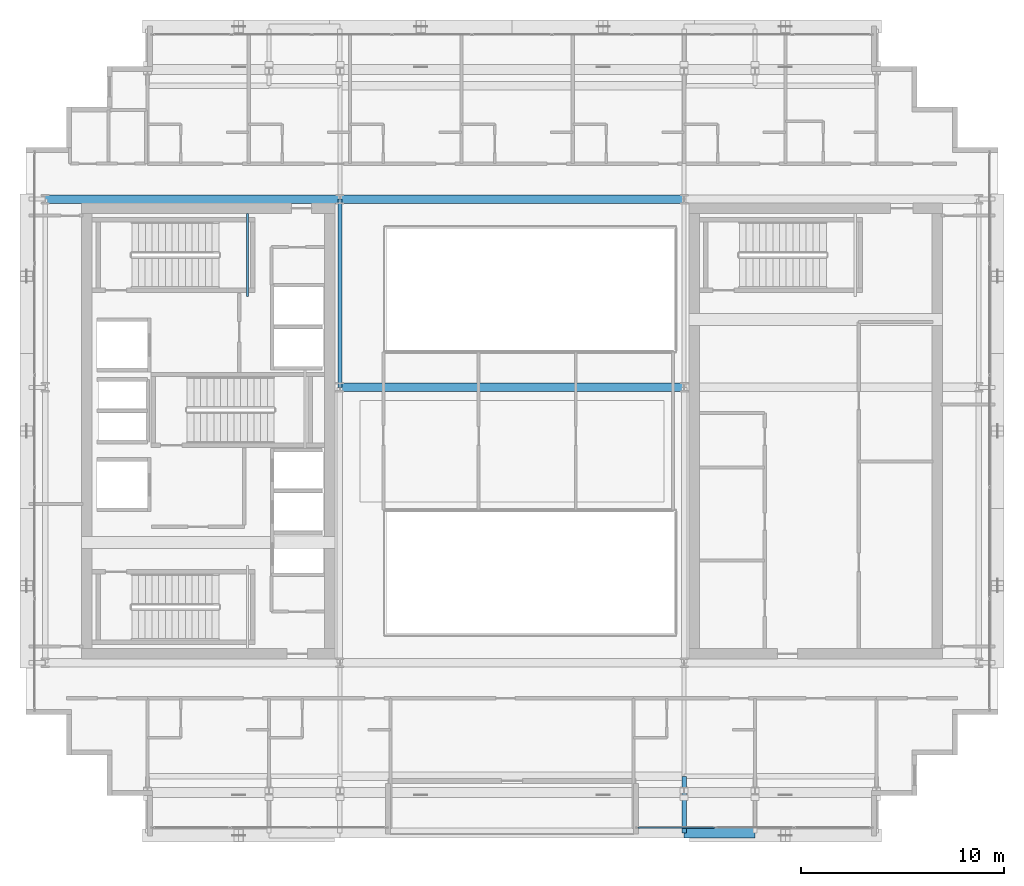
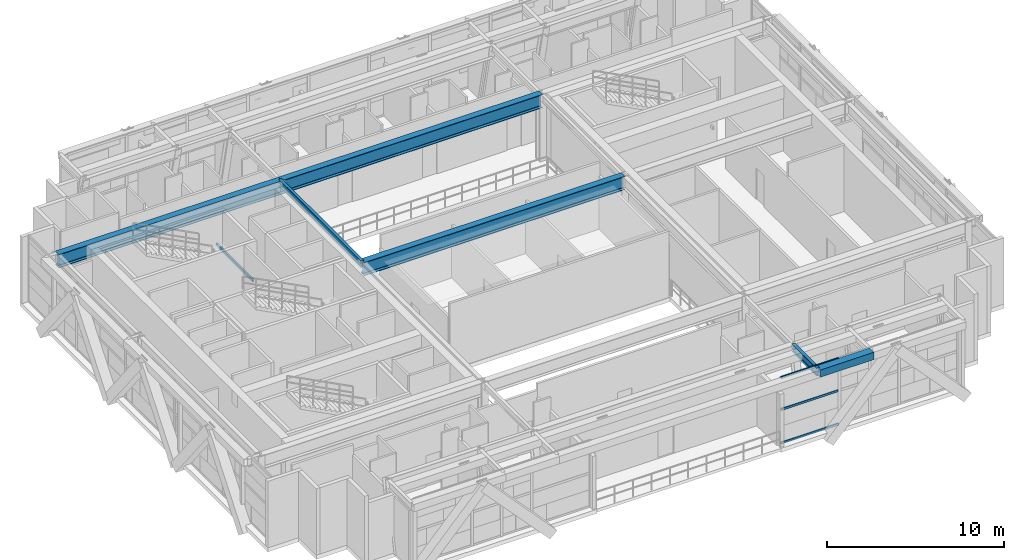
# One storey, part 8 of 31: 7 beams, 3 members, 1 element without a shape of its own.
"""IFC4 building model written with IfcOpenShell, lengths in metres."""

from ifc_helpers import new_model, si_unit, direction, frame, origin, origin_2d, place, context, subcontext, project, spatial, hollow_rectangle, i_section, extrude, source, transform, mapped, material, layer, layer_set, material_profile, profile_set, type_object, element, aggregate, save


model = new_model("IFC4")

# Units and contexts
model_context = context("Model", 3, precision=1e-05, world=origin(), true_north=direction((0.0, 1.0)))
body_context = subcontext(model_context, "Body", "Model", "MODEL_VIEW")
ifc_project = project(units=[si_unit("LENGTHUNIT", "METRE"), si_unit("AREAUNIT", "SQUARE_METRE"), si_unit("VOLUMEUNIT", "CUBIC_METRE"), si_unit("PLANEANGLEUNIT", "RADIAN"), si_unit("MASSUNIT", "GRAM", prefix="KILO")], contexts=[model_context])

# Site, building, storey
site_placement = place(None, origin())
site = spatial("IfcSite", under=ifc_project, at=site_placement, CompositionType="ELEMENT")
building_placement = place(site_placement, origin())
building = spatial("IfcBuilding", under=site, at=building_placement, Name="Ocotamira Hotel", CompositionType="ELEMENT")
storey_placement = place(building_placement, frame((0.0, 0.0, 228.0)))
storey = spatial("IfcBuildingStorey", under=building, at=storey_placement, Name="L57", CompositionType="ELEMENT", Elevation=228.0)

# Beams
ifc_material_1 = material(Name="Steel ASTM A500 Grade C", Category="steel")
ifc_material_profile_1 = material_profile(ifc_material_1, hollow_rectangle(XDim=0.10009765625, YDim=0.199951171875, WallThickness=0.008056640625, at=origin_2d()), Name="HSS200X100X8")
ifc_profile_set_1 = profile_set([ifc_material_profile_1], Name="Steel ASTM A500 Grade C")
beam_type_1 = type_object("IfcBeamType", Name="BM-STLDG-HSS200", PredefinedType="BEAM", material=ifc_profile_set_1)
shared_shape_1 = source(origin(), body_context, "Body", "SweptSolid", [
    extrude(hollow_rectangle(XDim=0.10009765625, YDim=0.199951171875, WallThickness=0.008056640625, at=origin_2d()), origin(), (0.0, 0.0, 1.0), 4.1201171875),
])
beam_1_placement = place(storey_placement, frame((18.949951171875, 32.6298828125, 2.10009765625), z_axis=(0.0, 1.0, 0.0), x_axis=(-1.0, 0.0, 0.0)))
element("IfcBeam", 1, at=beam_1_placement, inside=storey, type_object=beam_type_1, Name="L57 Stair ST-2 Landing Bearer 1", PredefinedType="BEAM", context=body_context, shape_type="MappedRepresentation", body=[
    mapped(shared_shape_1, transform((0.0, 0.0, 0.0), scale=1.0)),
])
ifc_material_2 = material(Name="Steel ASTM A992 Grade 50", Category="steel")
ifc_material_profile_2 = material_profile(ifc_material_2, i_section(OverallWidth=0.41796875, OverallDepth=0.927001953125, WebThickness=0.019287109375, FlangeThickness=0.031982421875, FilletRadius=0.02392578125, at=origin_2d()), Name="W36X231")
ifc_profile_set_2 = profile_set([ifc_material_profile_2], Name="Steel ASTM A992 Grade 50")
beam_type_2 = type_object("IfcBeamType", Name="BM-GIRD-W36X231", PredefinedType="BEAM", material=ifc_profile_set_2)
shared_shape_2 = source(origin(), body_context, "Body", "SweptSolid", [
    extrude(i_section(OverallWidth=0.41796875, OverallDepth=0.927001953125, WebThickness=0.019287109375, FlangeThickness=0.031982421875, FilletRadius=0.02392578125, at=origin_2d()), origin(), (0.0, 0.0, 1.0), 14.550048828125),
])
beam_2_placement = place(storey_placement, frame((8.949951171875, 37.449951171875, 4.116455078125), z_axis=(1.0, 0.0, 0.0), x_axis=(0.0, 1.0, 0.0)))
element("IfcBeam", 2, at=beam_2_placement, inside=storey, type_object=beam_type_2, Name="L57 Girder Y37.45 X8.95-23.5", PredefinedType="BEAM", context=body_context, shape_type="MappedRepresentation", body=[
    mapped(shared_shape_2, transform((0.0, 0.0, 0.0), scale=1.0)),
])
shared_shape_3 = source(origin(), body_context, "Body", "SweptSolid", [
    extrude(i_section(OverallWidth=0.41796875, OverallDepth=0.927001953125, WebThickness=0.019287109375, FlangeThickness=0.031982421875, FilletRadius=0.02392578125, at=origin_2d()), origin(), (0.0, 0.0, 1.0), 17.0),
])
for number, where, z_axis, x_axis, name in (
    (3, (23.5, 28.14990234375, 4.116455078125), (1.0, 0.0, 0.0), (0.0, 1.0, 0.0), "L57 Girder Y28.15 X23.5-40.5"),
    (4, (23.5, 37.449951171875, 4.116455078125), (1.0, 0.0, 0.0), (0.0, 1.0, 0.0), "L57 Girder Y37.45 X23.5-40.5"),
):
    element("IfcBeam", number, at=place(storey_placement, frame(where, z_axis=z_axis, x_axis=x_axis)), inside=storey, type_object=beam_type_2, Name=name, PredefinedType="BEAM", context=body_context, shape_type="MappedRepresentation", body=[
        mapped(shared_shape_3, transform((0.0, 0.0, 0.0), scale=1.0)),
    ])
ifc_material_profile_3 = material_profile(ifc_material_2, i_section(OverallWidth=0.18994140625, OverallDepth=0.45703125, WebThickness=0.009033203125, FlangeThickness=0.014404296875, FilletRadius=0.010009765625, at=origin_2d()), Name="W18X50")
ifc_profile_set_3 = profile_set([ifc_material_profile_3], Name="Steel ASTM A992 Grade 50")
beam_type_3 = type_object("IfcBeamType", Name="BM-SEC-W18X50", PredefinedType="JOIST", material=ifc_profile_set_3)
shared_shape_4 = source(origin(), body_context, "Body", "SweptSolid", [
    extrude(i_section(OverallWidth=0.18994140625, OverallDepth=0.45703125, WebThickness=0.009033203125, FlangeThickness=0.014404296875, FilletRadius=0.010009765625, at=origin_2d()), origin(), (0.0, 0.0, 1.0), 9.300048828125),
])
beam_3_placement = place(storey_placement, frame((23.5, 28.14990234375, 4.3515625), z_axis=(0.0, 1.0, 0.0), x_axis=(-1.0, 0.0, 0.0)))
element("IfcBeam", 5, at=beam_3_placement, inside=storey, type_object=beam_type_3, Name="L57 Beam X23.5 Y28.15-37.45", PredefinedType="JOIST", context=body_context, shape_type="MappedRepresentation", body=[
    mapped(shared_shape_4, transform((0.0, 0.0, 0.0), scale=1.0)),
])
ifc_material_profile_4 = material_profile(ifc_material_1, hollow_rectangle(XDim=0.5, YDim=0.5, WallThickness=0.02001953125, at=origin_2d()), Name="HSS500X500X20")
ifc_profile_set_4 = profile_set([ifc_material_profile_4], Name="Steel ASTM A500 Grade C")
beam_type_4 = type_object("IfcBeamType", Name="BM-SPAN-HSS500", PredefinedType="USERDEFINED", material=ifc_profile_set_4)
shared_shape_5 = source(origin(), body_context, "Body", "SweptSolid", [
    extrude(hollow_rectangle(XDim=0.5, YDim=0.5, WallThickness=0.02001953125, at=origin_2d()), origin(), (0.0, 0.0, 1.0), 3.5),
])
beam_4_placement = place(storey_placement, frame((40.5, 6.14990234375, 4.330078125), z_axis=(1.0, 0.0, 0.0), x_axis=(0.0, 1.0, 0.0)))
element("IfcBeam", 6, at=beam_4_placement, inside=storey, type_object=beam_type_4, Name="L57 Edge Spandrel S X40.5-44", ObjectType="SPANDREL", PredefinedType="USERDEFINED", context=body_context, shape_type="MappedRepresentation", body=[
    mapped(shared_shape_5, transform((0.0, 0.0, 0.0), scale=1.0)),
])
ifc_material_profile_5 = material_profile(ifc_material_2, i_section(OverallWidth=0.2099609375, OverallDepth=0.537109375, WebThickness=0.010986328125, FlangeThickness=0.017333984375, FilletRadius=0.012939453125, at=origin_2d()), Name="W21X68")
ifc_profile_set_5 = profile_set([ifc_material_profile_5], Name="Steel ASTM A992 Grade 50")
beam_type_5 = type_object("IfcBeamType", Name="BM-SEC-W21X68", PredefinedType="JOIST", material=ifc_profile_set_5)
shared_shape_6 = source(origin(), body_context, "Body", "SweptSolid", [
    extrude(i_section(OverallWidth=0.2099609375, OverallDepth=0.537109375, WebThickness=0.010986328125, FlangeThickness=0.017333984375, FilletRadius=0.012939453125, at=origin_2d()), origin(), (0.0, 0.0, 1.0), 2.800048828125),
])
beam_5_placement = place(storey_placement, frame((40.5, 8.949951171875, 4.3115234375), z_axis=(0.0, -1.0, 0.0), x_axis=(1.0, 0.0, 0.0)))
element("IfcBeam", 7, at=beam_5_placement, inside=storey, type_object=beam_type_5, Name="L57 South Edge Header X40.5", PredefinedType="JOIST", context=body_context, shape_type="MappedRepresentation", body=[
    mapped(shared_shape_6, transform((0.0, 0.0, 0.0), scale=1.0)),
])

# Curtain wall, members
ifc_material_3 = material(Name="Anodised pale-metal aluminium and solar glass", Category="aluminium")
ifc_layer = layer(ifc_material_3, 0.239990234375)
ifc_layer_set = layer_set([ifc_layer], Name="Anodised pale-metal aluminium and solar glass")
curtain_wall_type = type_object("IfcCurtainWallType", Name="CW-SYS5-SKY", PredefinedType="NOTDEFINED", material=ifc_layer_set)
curtain_wall_placement = place(storey_placement, origin())
curtain_wall = element("IfcCurtainWall", 8, at=curtain_wall_placement, inside=storey, type_object=curtain_wall_type, Name="L57 Curtain Wall CW-5 CW-L57-S2", PredefinedType="NOTDEFINED")
ifc_material_4 = material(Name="Anodised pale-metal aluminium 6063-T6", Category="aluminium")
ifc_material_profile_6 = material_profile(ifc_material_4, hollow_rectangle(XDim=0.074951171875, YDim=0.14990234375, WallThickness=0.006103515625, at=origin_2d()), Name="HSS150X75X6")
ifc_profile_set_6 = profile_set([ifc_material_profile_6], Name="Anodised pale-metal aluminium 6063-T6")
member_type = type_object("IfcMemberType", Name="CWT-150X75", PredefinedType="USERDEFINED", material=ifc_profile_set_6)
shared_shape_7 = source(origin(), body_context, "Body", "SweptSolid", [
    extrude(hollow_rectangle(XDim=0.074951171875, YDim=0.14990234375, WallThickness=0.006103515625, at=origin_2d()), origin(), (0.0, 0.0, 1.0), 3.763427734375),
])
member_1_placement = place(storey_placement, frame((38.22998046875, 6.419921875, 0.03759765625), z_axis=(1.0, 0.0, 0.0), x_axis=(0.0, 1.0, 0.0)))
member_1 = element("IfcMember", 9, at=member_1_placement, type_object=member_type, Name="CW-5 transom 1.1", ObjectType="TRANSOM", PredefinedType="USERDEFINED", context=body_context, shape_type="MappedRepresentation", body=[
    mapped(shared_shape_7, transform((0.0, 0.0, 0.0), scale=1.0)),
])
member_2_placement = place(storey_placement, frame((38.22998046875, 6.419921875, 2.35009765625), z_axis=(1.0, 0.0, 0.0), x_axis=(0.0, 1.0, 0.0)))
member_2 = element("IfcMember", 10, at=member_2_placement, type_object=member_type, Name="CW-5 transom 1.2", ObjectType="TRANSOM", PredefinedType="USERDEFINED", context=body_context, shape_type="MappedRepresentation", body=[
    mapped(shared_shape_7, transform((0.0, 0.0, 0.0), scale=1.0)),
])
member_3_placement = place(storey_placement, frame((38.22998046875, 6.419921875, 4.54248046875), z_axis=(1.0, 0.0, 0.0), x_axis=(0.0, 1.0, 0.0)))
member_3 = element("IfcMember", 11, at=member_3_placement, type_object=member_type, Name="CW-5 transom 1.3", ObjectType="TRANSOM", PredefinedType="USERDEFINED", context=body_context, shape_type="MappedRepresentation", body=[
    mapped(shared_shape_7, transform((0.0, 0.0, 0.0), scale=1.0)),
])
aggregate(curtain_wall, [member_1, member_2, member_3])

save(model, "model.ifc")
